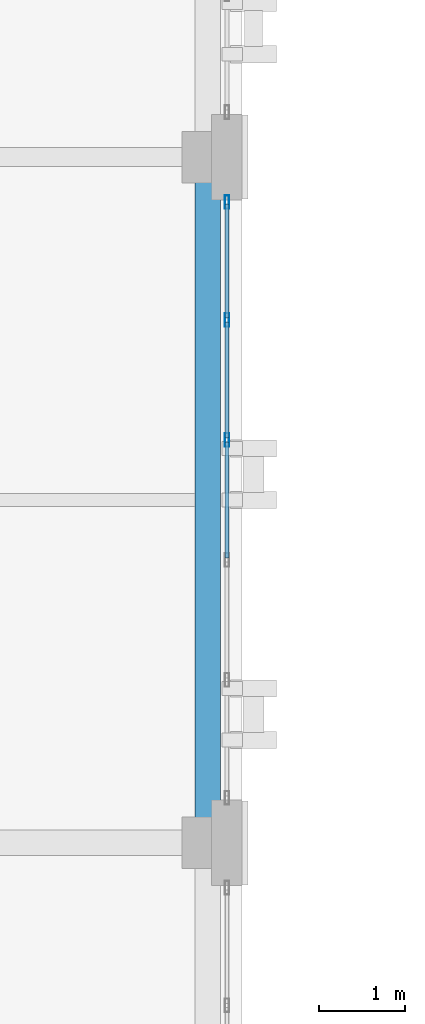
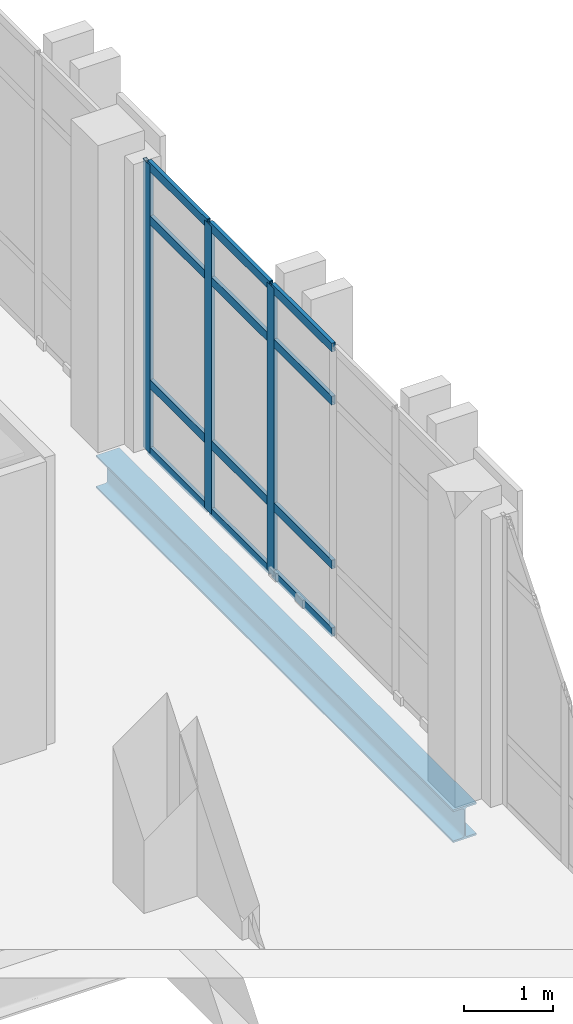
# One storey, part 8 of 48: 15 members, 1 beam, 1 element without a shape of its own.
"""IFC4 building model written with IfcOpenShell, lengths in metres."""

from ifc_helpers import new_model, si_unit, direction, frame, origin, origin_2d, place, context, subcontext, project, spatial, hollow_rectangle, i_section, extrude, material, layer, layer_set, material_profile, profile_set, type_object, element, aggregate, save


model = new_model("IFC4")

# Units and contexts
model_context = context("Model", 3, precision=1e-05, world=origin(), true_north=direction((0.0, 1.0)))
body_context = subcontext(model_context, "Body", "Model", "MODEL_VIEW")
ifc_project = project(units=[si_unit("LENGTHUNIT", "METRE"), si_unit("AREAUNIT", "SQUARE_METRE"), si_unit("VOLUMEUNIT", "CUBIC_METRE"), si_unit("PLANEANGLEUNIT", "RADIAN"), si_unit("MASSUNIT", "GRAM", prefix="KILO")], contexts=[model_context])

# Site, building, storey
site_placement = place(None, origin())
site = spatial("IfcSite", under=ifc_project, at=site_placement, CompositionType="ELEMENT")
building_placement = place(site_placement, origin())
building = spatial("IfcBuilding", under=site, at=building_placement, Name="Qalavern Law Courts", CompositionType="ELEMENT")
storey_placement = place(building_placement, frame((0.0, 0.0, 31.199951171875)))
storey = spatial("IfcBuildingStorey", under=building, at=storey_placement, Name="L07", CompositionType="ELEMENT", Elevation=31.199951171875)

# Curtain wall, members
ifc_material_1 = material(Name="Anodised aluminium and insulated glazing", Category="aluminium")
ifc_layer = layer(ifc_material_1, 0.159912109375)
ifc_layer_set = layer_set([ifc_layer], Name="Anodised aluminium and insulated glazing")
curtain_wall_type = type_object("IfcCurtainWallType", Name="ENV-CW-CHAMB", PredefinedType="USERDEFINED", material=ifc_layer_set)
curtain_wall_placement = place(storey_placement, origin())
curtain_wall = element("IfcCurtainWall", 1, at=curtain_wall_placement, inside=storey, type_object=curtain_wall_type, Name="V3 unitised curtain wall L07 east 2", ObjectType="UNITISED CURTAIN WALL", PredefinedType="USERDEFINED")
ifc_material_2 = material(Name="Anodised aluminium", Category="aluminium")
ifc_material_profile_1 = material_profile(ifc_material_2, hollow_rectangle(XDim=0.048095703125, YDim=0.159912109375, WallThickness=0.00390625, at=origin_2d()), Name="ALU MULLION 48x160")
ifc_profile_set_1 = profile_set([ifc_material_profile_1], Name="Anodised aluminium")
member_type_1 = type_object("IfcMemberType", Name="ENV-CWM-48x160", PredefinedType="MULLION", material=ifc_profile_set_1)
member_1_placement = place(storey_placement, frame((18.62255859375, 54.10009765625, 0.0), z_axis=(0.0, 0.0, 1.0), x_axis=(-1.0, 0.0, 0.0)))
member_1 = element("IfcMember", 2, at=member_1_placement, type_object=member_type_1, Name="CW-04 mullion 4", PredefinedType="MULLION", context=body_context, shape_type="SweptSolid", body=[
    extrude(hollow_rectangle(XDim=0.048095703125, YDim=0.159912109375, WallThickness=0.00390625, at=origin_2d()), origin(), (0.0, 0.0, 1.0), 3.93994140625),
])
member_2_placement = place(storey_placement, frame((18.62255859375, 55.5, 0.0), z_axis=(0.0, 0.0, 1.0), x_axis=(-1.0, 0.0, 0.0)))
member_2 = element("IfcMember", 3, at=member_2_placement, type_object=member_type_1, Name="CW-04 mullion 5", PredefinedType="MULLION", context=body_context, shape_type="SweptSolid", body=[
    extrude(hollow_rectangle(XDim=0.048095703125, YDim=0.159912109375, WallThickness=0.00390625, at=origin_2d()), origin(), (0.0, 0.0, 1.0), 3.93994140625),
])
member_3_placement = place(storey_placement, frame((18.62255859375, 56.8759765625, 0.0), z_axis=(0.0, 0.0, 1.0), x_axis=(-1.0, 0.0, 0.0)))
member_3 = element("IfcMember", 4, at=member_3_placement, type_object=member_type_1, Name="CW-04 mullion 6", PredefinedType="MULLION", context=body_context, shape_type="SweptSolid", body=[
    extrude(hollow_rectangle(XDim=0.048095703125, YDim=0.159912109375, WallThickness=0.00390625, at=origin_2d()), origin(), (0.0, 0.0, 1.0), 3.93994140625),
])
ifc_material_profile_2 = material_profile(ifc_material_2, hollow_rectangle(XDim=0.048095703125, YDim=0.1201171875, WallThickness=0.00390625, at=origin_2d()), Name="ALU TRANSOM 48x120")
ifc_profile_set_2 = profile_set([ifc_material_profile_2], Name="Anodised aluminium")
member_type_2 = type_object("IfcMemberType", Name="ENV-CWT-48x120", PredefinedType="USERDEFINED", material=ifc_profile_set_2)
member_4_placement = place(storey_placement, frame((18.62255859375, 52.72412109375, 0.024169921875), z_axis=(0.0, 1.0, 0.0), x_axis=(-1.0, 0.0, 0.0)))
member_4 = element("IfcMember", 5, at=member_4_placement, type_object=member_type_2, Name="CW-04 transom 3.1", ObjectType="TRANSOM", PredefinedType="USERDEFINED", context=body_context, shape_type="SweptSolid", body=[
    extrude(hollow_rectangle(XDim=0.048095703125, YDim=0.1201171875, WallThickness=0.00390625, at=origin_2d()), origin(), (0.0, 0.0, 1.0), 1.351806640625),
])
member_5_placement = place(storey_placement, frame((18.62255859375, 52.72412109375, 0.949951171875), z_axis=(0.0, 1.0, 0.0), x_axis=(-1.0, 0.0, 0.0)))
member_5 = element("IfcMember", 6, at=member_5_placement, type_object=member_type_2, Name="CW-04 transom 3.2", ObjectType="TRANSOM", PredefinedType="USERDEFINED", context=body_context, shape_type="SweptSolid", body=[
    extrude(hollow_rectangle(XDim=0.048095703125, YDim=0.1201171875, WallThickness=0.00390625, at=origin_2d()), origin(), (0.0, 0.0, 1.0), 1.351806640625),
])
member_6_placement = place(storey_placement, frame((18.62255859375, 52.72412109375, 3.18994140625), z_axis=(0.0, 1.0, 0.0), x_axis=(-1.0, 0.0, 0.0)))
member_6 = element("IfcMember", 7, at=member_6_placement, type_object=member_type_2, Name="CW-04 transom 3.3", ObjectType="TRANSOM", PredefinedType="USERDEFINED", context=body_context, shape_type="SweptSolid", body=[
    extrude(hollow_rectangle(XDim=0.048095703125, YDim=0.1201171875, WallThickness=0.00390625, at=origin_2d()), origin(), (0.0, 0.0, 1.0), 1.351806640625),
])
member_7_placement = place(storey_placement, frame((18.62255859375, 52.72412109375, 3.916015625), z_axis=(0.0, 1.0, 0.0), x_axis=(-1.0, 0.0, 0.0)))
member_7 = element("IfcMember", 8, at=member_7_placement, type_object=member_type_2, Name="CW-04 transom 3.4", ObjectType="TRANSOM", PredefinedType="USERDEFINED", context=body_context, shape_type="SweptSolid", body=[
    extrude(hollow_rectangle(XDim=0.048095703125, YDim=0.1201171875, WallThickness=0.00390625, at=origin_2d()), origin(), (0.0, 0.0, 1.0), 1.351806640625),
])
member_8_placement = place(storey_placement, frame((18.62255859375, 54.1240234375, 0.024169921875), z_axis=(0.0, 1.0, 0.0), x_axis=(-1.0, 0.0, 0.0)))
member_8 = element("IfcMember", 9, at=member_8_placement, type_object=member_type_2, Name="CW-04 transom 4.1", ObjectType="TRANSOM", PredefinedType="USERDEFINED", context=body_context, shape_type="SweptSolid", body=[
    extrude(hollow_rectangle(XDim=0.048095703125, YDim=0.1201171875, WallThickness=0.00390625, at=origin_2d()), origin(), (0.0, 0.0, 1.0), 1.35205078125),
])
member_9_placement = place(storey_placement, frame((18.62255859375, 54.1240234375, 0.949951171875), z_axis=(0.0, 1.0, 0.0), x_axis=(-1.0, 0.0, 0.0)))
member_9 = element("IfcMember", 10, at=member_9_placement, type_object=member_type_2, Name="CW-04 transom 4.2", ObjectType="TRANSOM", PredefinedType="USERDEFINED", context=body_context, shape_type="SweptSolid", body=[
    extrude(hollow_rectangle(XDim=0.048095703125, YDim=0.1201171875, WallThickness=0.00390625, at=origin_2d()), origin(), (0.0, 0.0, 1.0), 1.35205078125),
])
member_10_placement = place(storey_placement, frame((18.62255859375, 54.1240234375, 3.18994140625), z_axis=(0.0, 1.0, 0.0), x_axis=(-1.0, 0.0, 0.0)))
member_10 = element("IfcMember", 11, at=member_10_placement, type_object=member_type_2, Name="CW-04 transom 4.3", ObjectType="TRANSOM", PredefinedType="USERDEFINED", context=body_context, shape_type="SweptSolid", body=[
    extrude(hollow_rectangle(XDim=0.048095703125, YDim=0.1201171875, WallThickness=0.00390625, at=origin_2d()), origin(), (0.0, 0.0, 1.0), 1.35205078125),
])
member_11_placement = place(storey_placement, frame((18.62255859375, 54.1240234375, 3.916015625), z_axis=(0.0, 1.0, 0.0), x_axis=(-1.0, 0.0, 0.0)))
member_11 = element("IfcMember", 12, at=member_11_placement, type_object=member_type_2, Name="CW-04 transom 4.4", ObjectType="TRANSOM", PredefinedType="USERDEFINED", context=body_context, shape_type="SweptSolid", body=[
    extrude(hollow_rectangle(XDim=0.048095703125, YDim=0.1201171875, WallThickness=0.00390625, at=origin_2d()), origin(), (0.0, 0.0, 1.0), 1.35205078125),
])
member_12_placement = place(storey_placement, frame((18.62255859375, 55.52392578125, 0.024169921875), z_axis=(0.0, 1.0, 0.0), x_axis=(-1.0, 0.0, 0.0)))
member_12 = element("IfcMember", 13, at=member_12_placement, type_object=member_type_2, Name="CW-04 transom 5.1", ObjectType="TRANSOM", PredefinedType="USERDEFINED", context=body_context, shape_type="SweptSolid", body=[
    extrude(hollow_rectangle(XDim=0.048095703125, YDim=0.1201171875, WallThickness=0.00390625, at=origin_2d()), origin(), (0.0, 0.0, 1.0), 1.328125),
])
member_13_placement = place(storey_placement, frame((18.62255859375, 55.52392578125, 0.949951171875), z_axis=(0.0, 1.0, 0.0), x_axis=(-1.0, 0.0, 0.0)))
member_13 = element("IfcMember", 14, at=member_13_placement, type_object=member_type_2, Name="CW-04 transom 5.2", ObjectType="TRANSOM", PredefinedType="USERDEFINED", context=body_context, shape_type="SweptSolid", body=[
    extrude(hollow_rectangle(XDim=0.048095703125, YDim=0.1201171875, WallThickness=0.00390625, at=origin_2d()), origin(), (0.0, 0.0, 1.0), 1.328125),
])
member_14_placement = place(storey_placement, frame((18.62255859375, 55.52392578125, 3.18994140625), z_axis=(0.0, 1.0, 0.0), x_axis=(-1.0, 0.0, 0.0)))
member_14 = element("IfcMember", 15, at=member_14_placement, type_object=member_type_2, Name="CW-04 transom 5.3", ObjectType="TRANSOM", PredefinedType="USERDEFINED", context=body_context, shape_type="SweptSolid", body=[
    extrude(hollow_rectangle(XDim=0.048095703125, YDim=0.1201171875, WallThickness=0.00390625, at=origin_2d()), origin(), (0.0, 0.0, 1.0), 1.328125),
])
member_15_placement = place(storey_placement, frame((18.62255859375, 55.52392578125, 3.916015625), z_axis=(0.0, 1.0, 0.0), x_axis=(-1.0, 0.0, 0.0)))
member_15 = element("IfcMember", 16, at=member_15_placement, type_object=member_type_2, Name="CW-04 transom 5.4", ObjectType="TRANSOM", PredefinedType="USERDEFINED", context=body_context, shape_type="SweptSolid", body=[
    extrude(hollow_rectangle(XDim=0.048095703125, YDim=0.1201171875, WallThickness=0.00390625, at=origin_2d()), origin(), (0.0, 0.0, 1.0), 1.328125),
])
aggregate(curtain_wall, [member_1, member_2, member_3, member_4, member_5, member_6, member_7, member_8, member_9, member_10, member_11, member_12, member_13, member_14, member_15])

# Beam
ifc_material_3 = material(Name="Steel S355", Category="steel")
ifc_material_profile_3 = material_profile(ifc_material_3, i_section(OverallWidth=0.300048828125, OverallDepth=0.449951171875, WebThickness=0.013916015625, FlangeThickness=0.02587890625, FilletRadius=0.027099609375, at=origin_2d()), Name="HEB 450")
ifc_profile_set_3 = profile_set([ifc_material_profile_3], Name="Steel S355")
beam_type = type_object("IfcBeamType", Name="STR-SP-HEB450", PredefinedType="SPANDREL", material=ifc_profile_set_3)
beam_placement = place(storey_placement, frame((18.39990234375, 49.39990234375, -0.489990234375), z_axis=(0.0, 1.0, 0.0), x_axis=(-1.0, 0.0, 0.0)))
element("IfcBeam", 17, at=beam_placement, inside=storey, type_object=beam_type, Name="V3 Y-beam 3-2 L07", PredefinedType="SPANDREL", context=body_context, shape_type="SweptSolid", body=[
    extrude(i_section(OverallWidth=0.300048828125, OverallDepth=0.449951171875, WebThickness=0.013916015625, FlangeThickness=0.02587890625, FilletRadius=0.027099609375, at=origin_2d()), origin(), (0.0, 0.0, 1.0), 8.0),
])

save(model, "model.ifc")
